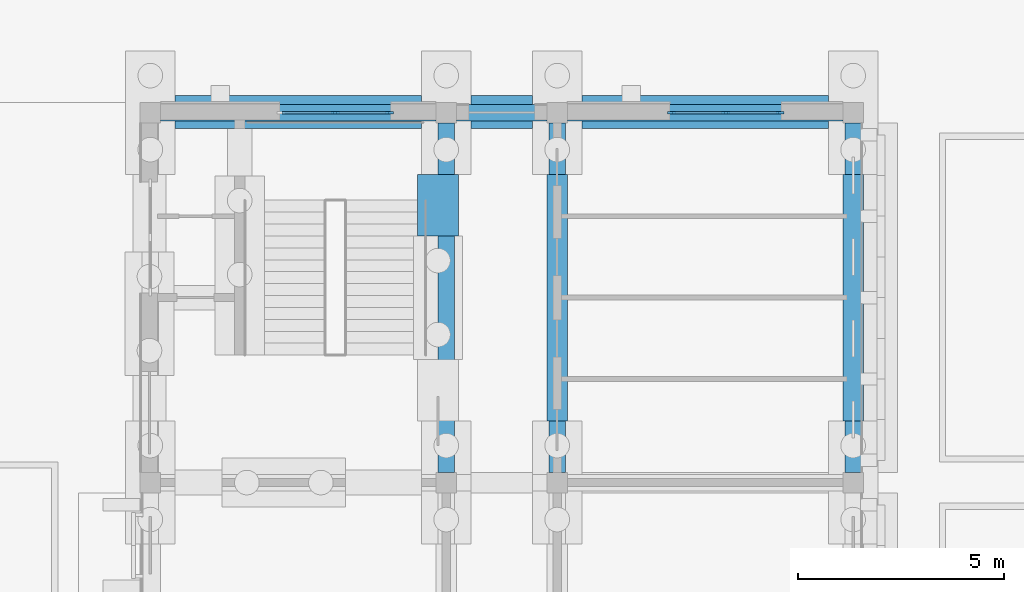
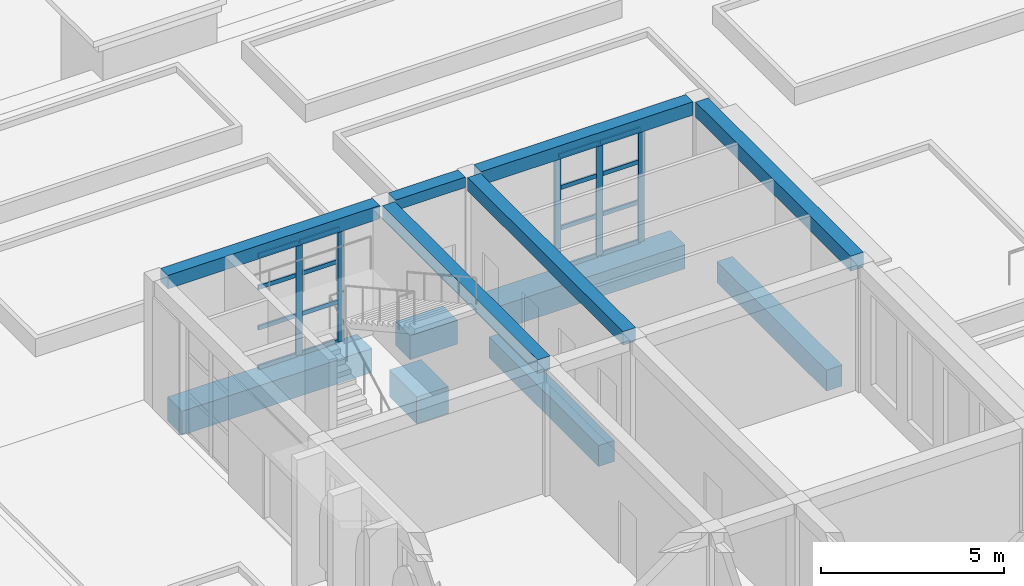
# One storey, part 39 of 161: 21 members, 12 beams, 2 elements without a shape of their own.
"""IFC4 building model written with IfcOpenShell, lengths in metres."""

from ifc_helpers import new_model, si_unit, direction, frame, origin, origin_2d, place, context, subcontext, project, spatial, rectangle, extrude, material, layer, layer_set, material_profile, profile_set, type_object, element, aggregate, save


model = new_model("IFC4")

# Units and contexts
model_context = context("Model", 3, precision=1e-05, world=origin(), true_north=direction((0.0, 1.0)))
body_context = subcontext(model_context, "Body", "Model", "MODEL_VIEW")
ifc_project = project(units=[si_unit("LENGTHUNIT", "METRE"), si_unit("AREAUNIT", "SQUARE_METRE"), si_unit("VOLUMEUNIT", "CUBIC_METRE"), si_unit("PLANEANGLEUNIT", "RADIAN"), si_unit("MASSUNIT", "GRAM", prefix="KILO")], contexts=[model_context])

# Site, building, storey
site_placement = place(None, origin())
site = spatial("IfcSite", under=ifc_project, at=site_placement, CompositionType="ELEMENT")
building_placement = place(site_placement, origin())
building = spatial("IfcBuilding", under=site, at=building_placement, Name="Elbe Cascade School", CompositionType="ELEMENT")
storey_placement = place(building_placement, origin())
storey = spatial("IfcBuildingStorey", under=building, at=storey_placement, Name="L00", CompositionType="ELEMENT", Elevation=0.0)

# Curtain wall, members
ifc_material_1 = material(Name="Aluminium frame with double glazing, bronze anodised", Category="aluminium")
ifc_layer = layer(ifc_material_1, 0.199951171875)
ifc_layer_set = layer_set([ifc_layer], Name="Aluminium frame with double glazing, bronze anodised")
curtain_wall_type = type_object("IfcCurtainWallType", Name="Bars envelope Curtain wall, aluminium, bronze anodised, ground floor tall run", PredefinedType="NOTDEFINED", material=ifc_layer_set)
curtain_wall_1_placement = place(storey_placement, origin())
curtain_wall_1 = element("IfcCurtainWall", 1, at=curtain_wall_1_placement, inside=storey, type_object=curtain_wall_type, Name="Curtain wall CW3 D.L00.n1", PredefinedType="NOTDEFINED")
ifc_material_2 = material(Name="Aluminium mullion, bronze anodised", Category="aluminium")
ifc_material_profile_1 = material_profile(ifc_material_2, rectangle(XDim=0.06005859375, YDim=0.199951171875, at=origin_2d()), Name="Bars envelope Curtain wall mullion 60 x 200, aluminium, ground floor tall run")
ifc_profile_set_1 = profile_set([ifc_material_profile_1], Name="Aluminium mullion, bronze anodised")
member_type_1 = type_object("IfcMemberType", Name="Bars envelope Curtain wall mullion 60 x 200, aluminium, ground floor tall run", PredefinedType="MULLION", material=ifc_profile_set_1)
member_1_placement = place(storey_placement, frame((162.300048828125, 60.0, 0.0), z_axis=(0.0, 0.0, 1.0), x_axis=(0.0, 1.0, 0.0)))
member_1 = element("IfcMember", 2, at=member_1_placement, type_object=member_type_1, Name="CW3 mullion 2", PredefinedType="MULLION", context=body_context, shape_type="SweptSolid", body=[
    extrude(rectangle(XDim=0.06005859375, YDim=0.199951171875, at=origin_2d()), origin(), (0.0, 0.0, 1.0), 3.800048828125),
])
member_2_placement = place(storey_placement, frame((163.6201171875, 60.0, 0.0), z_axis=(0.0, 0.0, 1.0), x_axis=(0.0, 1.0, 0.0)))
member_2 = element("IfcMember", 3, at=member_2_placement, type_object=member_type_1, Name="CW3 mullion 3", PredefinedType="MULLION", context=body_context, shape_type="SweptSolid", body=[
    extrude(rectangle(XDim=0.06005859375, YDim=0.199951171875, at=origin_2d()), origin(), (0.0, 0.0, 1.0), 3.800048828125),
])

curtain_wall_2_placement = place(storey_placement, origin())
curtain_wall_2 = element("IfcCurtainWall", 4, at=curtain_wall_2_placement, inside=storey, type_object=curtain_wall_type, Name="Curtain wall CW3 D.L00.n3", PredefinedType="NOTDEFINED")
member_3_placement = place(storey_placement, frame((170.47998046875, 60.0, 0.0), z_axis=(0.0, 0.0, 1.0), x_axis=(0.0, 1.0, 0.0)))
member_3 = element("IfcMember", 5, at=member_3_placement, type_object=member_type_1, Name="CW3 mullion 1", PredefinedType="MULLION", context=body_context, shape_type="SweptSolid", body=[
    extrude(rectangle(XDim=0.06005859375, YDim=0.199951171875, at=origin_2d()), origin(), (0.0, 0.0, 1.0), 3.800048828125),
])
member_4_placement = place(storey_placement, frame((171.800048828125, 60.0, 0.0), z_axis=(0.0, 0.0, 1.0), x_axis=(0.0, 1.0, 0.0)))
member_4 = element("IfcMember", 6, at=member_4_placement, type_object=member_type_1, Name="CW3 mullion 2", PredefinedType="MULLION", context=body_context, shape_type="SweptSolid", body=[
    extrude(rectangle(XDim=0.06005859375, YDim=0.199951171875, at=origin_2d()), origin(), (0.0, 0.0, 1.0), 3.800048828125),
])
member_5_placement = place(storey_placement, frame((173.1201171875, 60.0, 0.0), z_axis=(0.0, 0.0, 1.0), x_axis=(0.0, 1.0, 0.0)))
member_5 = element("IfcMember", 7, at=member_5_placement, type_object=member_type_1, Name="CW3 mullion 3", PredefinedType="MULLION", context=body_context, shape_type="SweptSolid", body=[
    extrude(rectangle(XDim=0.06005859375, YDim=0.199951171875, at=origin_2d()), origin(), (0.0, 0.0, 1.0), 3.800048828125),
])

# Member
ifc_material_3 = material(Name="Aluminium transom, bronze anodised", Category="aluminium")
ifc_material_profile_2 = material_profile(ifc_material_3, rectangle(XDim=0.06005859375, YDim=0.139892578125, at=origin_2d()), Name="Bars envelope Curtain wall transom 60 x 140, aluminium, ground floor tall run")
ifc_profile_set_2 = profile_set([ifc_material_profile_2], Name="Aluminium transom, bronze anodised")
member_type_2 = type_object("IfcMemberType", Name="Bars envelope Curtain wall transom 60 x 140, aluminium, ground floor tall run", PredefinedType="USERDEFINED", material=ifc_profile_set_2)
member_6_placement = place(storey_placement, frame((161.010009765625, 60.0, 0.030029296875), z_axis=(1.0, 0.0, 0.0), x_axis=(0.0, 1.0, 0.0)))
member_6 = element("IfcMember", 8, at=member_6_placement, type_object=member_type_2, Name="CW3 transom 1.1", ObjectType="TRANSOM", PredefinedType="USERDEFINED", context=body_context, shape_type="SweptSolid", body=[
    extrude(rectangle(XDim=0.06005859375, YDim=0.139892578125, at=origin_2d()), origin(), (0.0, 0.0, 1.0), 1.260009765625),
])

member_7_placement = place(storey_placement, frame((161.010009765625, 60.0, 1.35009765625), z_axis=(1.0, 0.0, 0.0), x_axis=(0.0, 1.0, 0.0)))
member_7 = element("IfcMember", 9, at=member_7_placement, type_object=member_type_2, Name="CW3 transom 1.2", ObjectType="TRANSOM", PredefinedType="USERDEFINED", context=body_context, shape_type="SweptSolid", body=[
    extrude(rectangle(XDim=0.06005859375, YDim=0.139892578125, at=origin_2d()), origin(), (0.0, 0.0, 1.0), 1.260009765625),
])

member_8_placement = place(storey_placement, frame((161.010009765625, 60.0, 2.699951171875), z_axis=(1.0, 0.0, 0.0), x_axis=(0.0, 1.0, 0.0)))
member_8 = element("IfcMember", 10, at=member_8_placement, type_object=member_type_2, Name="CW3 transom 1.3", ObjectType="TRANSOM", PredefinedType="USERDEFINED", context=body_context, shape_type="SweptSolid", body=[
    extrude(rectangle(XDim=0.06005859375, YDim=0.139892578125, at=origin_2d()), origin(), (0.0, 0.0, 1.0), 1.260009765625),
])

member_9_placement = place(storey_placement, frame((161.010009765625, 60.0, 3.77001953125), z_axis=(1.0, 0.0, 0.0), x_axis=(0.0, 1.0, 0.0)))
member_9 = element("IfcMember", 11, at=member_9_placement, type_object=member_type_2, Name="CW3 transom 1.4", ObjectType="TRANSOM", PredefinedType="USERDEFINED", context=body_context, shape_type="SweptSolid", body=[
    extrude(rectangle(XDim=0.06005859375, YDim=0.139892578125, at=origin_2d()), origin(), (0.0, 0.0, 1.0), 1.260009765625),
])

member_10_placement = place(storey_placement, frame((162.330078125, 60.0, 0.030029296875), z_axis=(1.0, 0.0, 0.0), x_axis=(0.0, 1.0, 0.0)))
member_10 = element("IfcMember", 12, at=member_10_placement, type_object=member_type_2, Name="CW3 transom 2.1", ObjectType="TRANSOM", PredefinedType="USERDEFINED", context=body_context, shape_type="SweptSolid", body=[
    extrude(rectangle(XDim=0.06005859375, YDim=0.139892578125, at=origin_2d()), origin(), (0.0, 0.0, 1.0), 1.260009765625),
])

member_11_placement = place(storey_placement, frame((162.330078125, 60.0, 1.35009765625), z_axis=(1.0, 0.0, 0.0), x_axis=(0.0, 1.0, 0.0)))
member_11 = element("IfcMember", 13, at=member_11_placement, type_object=member_type_2, Name="CW3 transom 2.2", ObjectType="TRANSOM", PredefinedType="USERDEFINED", context=body_context, shape_type="SweptSolid", body=[
    extrude(rectangle(XDim=0.06005859375, YDim=0.139892578125, at=origin_2d()), origin(), (0.0, 0.0, 1.0), 1.260009765625),
])

member_12_placement = place(storey_placement, frame((162.330078125, 60.0, 2.699951171875), z_axis=(1.0, 0.0, 0.0), x_axis=(0.0, 1.0, 0.0)))
member_12 = element("IfcMember", 14, at=member_12_placement, type_object=member_type_2, Name="CW3 transom 2.3", ObjectType="TRANSOM", PredefinedType="USERDEFINED", context=body_context, shape_type="SweptSolid", body=[
    extrude(rectangle(XDim=0.06005859375, YDim=0.139892578125, at=origin_2d()), origin(), (0.0, 0.0, 1.0), 1.260009765625),
])

member_13_placement = place(storey_placement, frame((162.330078125, 60.0, 3.77001953125), z_axis=(1.0, 0.0, 0.0), x_axis=(0.0, 1.0, 0.0)))
member_13 = element("IfcMember", 15, at=member_13_placement, type_object=member_type_2, Name="CW3 transom 2.4", ObjectType="TRANSOM", PredefinedType="USERDEFINED", context=body_context, shape_type="SweptSolid", body=[
    extrude(rectangle(XDim=0.06005859375, YDim=0.139892578125, at=origin_2d()), origin(), (0.0, 0.0, 1.0), 1.260009765625),
])

aggregate(curtain_wall_1, [member_1, member_2, member_6, member_7, member_8, member_9, member_10, member_11, member_12, member_13])

member_14_placement = place(storey_placement, frame((170.510009765625, 60.0, 0.030029296875), z_axis=(1.0, 0.0, 0.0), x_axis=(0.0, 1.0, 0.0)))
member_14 = element("IfcMember", 16, at=member_14_placement, type_object=member_type_2, Name="CW3 transom 1.1", ObjectType="TRANSOM", PredefinedType="USERDEFINED", context=body_context, shape_type="SweptSolid", body=[
    extrude(rectangle(XDim=0.06005859375, YDim=0.139892578125, at=origin_2d()), origin(), (0.0, 0.0, 1.0), 1.260009765625),
])

member_15_placement = place(storey_placement, frame((170.510009765625, 60.0, 1.35009765625), z_axis=(1.0, 0.0, 0.0), x_axis=(0.0, 1.0, 0.0)))
member_15 = element("IfcMember", 17, at=member_15_placement, type_object=member_type_2, Name="CW3 transom 1.2", ObjectType="TRANSOM", PredefinedType="USERDEFINED", context=body_context, shape_type="SweptSolid", body=[
    extrude(rectangle(XDim=0.06005859375, YDim=0.139892578125, at=origin_2d()), origin(), (0.0, 0.0, 1.0), 1.260009765625),
])

member_16_placement = place(storey_placement, frame((170.510009765625, 60.0, 2.699951171875), z_axis=(1.0, 0.0, 0.0), x_axis=(0.0, 1.0, 0.0)))
member_16 = element("IfcMember", 18, at=member_16_placement, type_object=member_type_2, Name="CW3 transom 1.3", ObjectType="TRANSOM", PredefinedType="USERDEFINED", context=body_context, shape_type="SweptSolid", body=[
    extrude(rectangle(XDim=0.06005859375, YDim=0.139892578125, at=origin_2d()), origin(), (0.0, 0.0, 1.0), 1.260009765625),
])

member_17_placement = place(storey_placement, frame((170.510009765625, 60.0, 3.77001953125), z_axis=(1.0, 0.0, 0.0), x_axis=(0.0, 1.0, 0.0)))
member_17 = element("IfcMember", 19, at=member_17_placement, type_object=member_type_2, Name="CW3 transom 1.4", ObjectType="TRANSOM", PredefinedType="USERDEFINED", context=body_context, shape_type="SweptSolid", body=[
    extrude(rectangle(XDim=0.06005859375, YDim=0.139892578125, at=origin_2d()), origin(), (0.0, 0.0, 1.0), 1.260009765625),
])

member_18_placement = place(storey_placement, frame((171.830078125, 60.0, 0.030029296875), z_axis=(1.0, 0.0, 0.0), x_axis=(0.0, 1.0, 0.0)))
member_18 = element("IfcMember", 20, at=member_18_placement, type_object=member_type_2, Name="CW3 transom 2.1", ObjectType="TRANSOM", PredefinedType="USERDEFINED", context=body_context, shape_type="SweptSolid", body=[
    extrude(rectangle(XDim=0.06005859375, YDim=0.139892578125, at=origin_2d()), origin(), (0.0, 0.0, 1.0), 1.260009765625),
])

member_19_placement = place(storey_placement, frame((171.830078125, 60.0, 1.35009765625), z_axis=(1.0, 0.0, 0.0), x_axis=(0.0, 1.0, 0.0)))
member_19 = element("IfcMember", 21, at=member_19_placement, type_object=member_type_2, Name="CW3 transom 2.2", ObjectType="TRANSOM", PredefinedType="USERDEFINED", context=body_context, shape_type="SweptSolid", body=[
    extrude(rectangle(XDim=0.06005859375, YDim=0.139892578125, at=origin_2d()), origin(), (0.0, 0.0, 1.0), 1.260009765625),
])

member_20_placement = place(storey_placement, frame((171.830078125, 60.0, 2.699951171875), z_axis=(1.0, 0.0, 0.0), x_axis=(0.0, 1.0, 0.0)))
member_20 = element("IfcMember", 22, at=member_20_placement, type_object=member_type_2, Name="CW3 transom 2.3", ObjectType="TRANSOM", PredefinedType="USERDEFINED", context=body_context, shape_type="SweptSolid", body=[
    extrude(rectangle(XDim=0.06005859375, YDim=0.139892578125, at=origin_2d()), origin(), (0.0, 0.0, 1.0), 1.260009765625),
])

member_21_placement = place(storey_placement, frame((171.830078125, 60.0, 3.77001953125), z_axis=(1.0, 0.0, 0.0), x_axis=(0.0, 1.0, 0.0)))
member_21 = element("IfcMember", 23, at=member_21_placement, type_object=member_type_2, Name="CW3 transom 2.4", ObjectType="TRANSOM", PredefinedType="USERDEFINED", context=body_context, shape_type="SweptSolid", body=[
    extrude(rectangle(XDim=0.06005859375, YDim=0.139892578125, at=origin_2d()), origin(), (0.0, 0.0, 1.0), 1.260009765625),
])

aggregate(curtain_wall_2, [member_3, member_4, member_5, member_14, member_15, member_16, member_17, member_18, member_19, member_20, member_21])

# Beams
ifc_material_4 = material(Name="Concrete C30/37", Category="concrete")
ifc_material_profile_3 = material_profile(ifc_material_4, rectangle(XDim=1.0, YDim=0.89990234375, at=origin_2d()), Name="RC 1000x900")
ifc_profile_set_3 = profile_set([ifc_material_profile_3], Name="Concrete C30/37")
beam_type_1 = type_object("IfcBeamType", Name="Found ground beam RC 1000x900", PredefinedType="BEAM", material=ifc_profile_set_3)
beam_1_placement = place(storey_placement, frame((164.800048828125, 57.0, -0.75), z_axis=(0.0, 1.0, 0.0), x_axis=(-1.0, 0.0, 0.0)))
element("IfcBeam", 24, at=beam_1_placement, inside=storey, type_object=beam_type_1, Name="Ground beam 049", PredefinedType="BEAM", context=body_context, shape_type="SweptSolid", body=[
    extrude(rectangle(XDim=1.0, YDim=0.89990234375, at=origin_2d()), origin(), (0.0, 0.0, 1.0), 1.5),
])
ifc_material_5 = material(Name="Concrete C30/37", Category="concrete")
ifc_material_profile_4 = material_profile(ifc_material_5, rectangle(XDim=0.5, YDim=0.699951171875, at=origin_2d()), Name="RC 500x700")
ifc_profile_set_4 = profile_set([ifc_material_profile_4], Name="Concrete C30/37")
beam_type_2 = type_object("IfcBeamType", Name="Found ground beam RC 500x700", PredefinedType="BEAM", material=ifc_profile_set_4)
for number, where, z_axis, x_axis, name in (
    (25, (167.699951171875, 52.5, -0.64990234375), (0.0, 1.0, 0.0), (-1.0, 0.0, 0.0), "Ground beam 312"),
    (26, (174.89990234375, 52.5, -0.64990234375), (0.0, 1.0, 0.0), (-1.0, 0.0, 0.0), "Ground beam 318"),
):
    element("IfcBeam", number, at=place(storey_placement, frame(where, z_axis=z_axis, x_axis=x_axis)), inside=storey, type_object=beam_type_2, Name=name, PredefinedType="BEAM", context=body_context, shape_type="SweptSolid", body=[
        extrude(rectangle(XDim=0.5, YDim=0.699951171875, at=origin_2d()), origin(), (0.0, 0.0, 1.0), 6.0),
    ])
ifc_material_6 = material(Name="Concrete C30/37", Category="concrete")
ifc_material_profile_5 = material_profile(ifc_material_6, rectangle(XDim=0.800048828125, YDim=0.800048828125, at=origin_2d()), Name="RC 800x800")
ifc_profile_set_5 = profile_set([ifc_material_profile_5], Name="Concrete C30/37")
beam_type_3 = type_object("IfcBeamType", Name="Found ground beam RC 800x800", PredefinedType="BEAM", material=ifc_profile_set_5)
beam_2_placement = place(storey_placement, frame((158.39990234375, 60.02001953125, -0.699951171875), z_axis=(1.0, 0.0, 0.0), x_axis=(0.0, 1.0, 0.0)))
element("IfcBeam", 27, at=beam_2_placement, inside=storey, type_object=beam_type_3, Name="Ground beam 062", PredefinedType="BEAM", context=body_context, shape_type="SweptSolid", body=[
    extrude(rectangle(XDim=0.800048828125, YDim=0.800048828125, at=origin_2d()), origin(), (0.0, 0.0, 1.0), 6.0),
])
beam_3_placement = place(storey_placement, frame((165.60009765625, 60.02001953125, -0.699951171875), z_axis=(1.0, 0.0, 0.0), x_axis=(0.0, 1.0, 0.0)))
element("IfcBeam", 28, at=beam_3_placement, inside=storey, type_object=beam_type_3, Name="Ground beam 063", PredefinedType="BEAM", context=body_context, shape_type="SweptSolid", body=[
    extrude(rectangle(XDim=0.800048828125, YDim=0.800048828125, at=origin_2d()), origin(), (0.0, 0.0, 1.0), 1.5),
])
beam_4_placement = place(storey_placement, frame((168.300048828125, 60.02001953125, -0.699951171875), z_axis=(1.0, 0.0, 0.0), x_axis=(0.0, 1.0, 0.0)))
element("IfcBeam", 29, at=beam_4_placement, inside=storey, type_object=beam_type_3, Name="Ground beam 064", PredefinedType="BEAM", context=body_context, shape_type="SweptSolid", body=[
    extrude(rectangle(XDim=0.800048828125, YDim=0.800048828125, at=origin_2d()), origin(), (0.0, 0.0, 1.0), 6.0),
])
ifc_material_7 = material(Name="Concrete C30/37", Category="concrete")
ifc_material_profile_6 = material_profile(ifc_material_7, rectangle(XDim=0.39990234375, YDim=0.35009765625, at=origin_2d()), Name="RC 400x350")
ifc_profile_set_6 = profile_set([ifc_material_profile_6], Name="Concrete C30/37")
beam_type_4 = type_object("IfcBeamType", Name="RC 400x350 beam", PredefinedType="BEAM", material=ifc_profile_set_6)
beam_5_placement = place(storey_placement, frame((165.25, 60.0, 4.074951171875), z_axis=(1.0, 0.0, 0.0), x_axis=(0.0, 1.0, 0.0)))
element("IfcBeam", 30, at=beam_5_placement, inside=storey, type_object=beam_type_4, Name="RC 400x350 beam B3", PredefinedType="BEAM", context=body_context, shape_type="SweptSolid", body=[
    extrude(rectangle(XDim=0.39990234375, YDim=0.35009765625, at=origin_2d()), origin(), (0.0, 0.0, 1.0), 2.199951171875),
])
ifc_material_8 = material(Name="Concrete C30/37", Category="concrete")
ifc_material_profile_7 = material_profile(ifc_material_8, rectangle(XDim=0.39990234375, YDim=0.449951171875, at=origin_2d()), Name="RC 400x450")
ifc_profile_set_7 = profile_set([ifc_material_profile_7], Name="Concrete C30/37")
beam_type_5 = type_object("IfcBeamType", Name="RC 400x450 beam", PredefinedType="BEAM", material=ifc_profile_set_7)
for number, where, z_axis, x_axis, name in (
    (31, (165.0, 51.25, 4.02490234375), (0.0, 1.0, 0.0), (-1.0, 0.0, 0.0), "RC 400x450 beam B2"),
    (32, (167.699951171875, 51.25, 4.02490234375), (0.0, 1.0, 0.0), (-1.0, 0.0, 0.0), "RC 400x450 beam B2"),
):
    element("IfcBeam", number, at=place(storey_placement, frame(where, z_axis=z_axis, x_axis=x_axis)), inside=storey, type_object=beam_type_5, Name=name, PredefinedType="BEAM", context=body_context, shape_type="SweptSolid", body=[
        extrude(rectangle(XDim=0.39990234375, YDim=0.449951171875, at=origin_2d()), origin(), (0.0, 0.0, 1.0), 8.5),
    ])
for number, where, z_axis, x_axis, name in (
    (33, (158.050048828125, 60.0, 4.02490234375), (1.0, 0.0, 0.0), (0.0, 1.0, 0.0), "RC 400x450 beam B2"),
    (34, (167.949951171875, 60.0, 4.02490234375), (1.0, 0.0, 0.0), (0.0, 1.0, 0.0), "RC 400x450 beam B2"),
):
    element("IfcBeam", number, at=place(storey_placement, frame(where, z_axis=z_axis, x_axis=x_axis)), inside=storey, type_object=beam_type_5, Name=name, PredefinedType="BEAM", context=body_context, shape_type="SweptSolid", body=[
        extrude(rectangle(XDim=0.39990234375, YDim=0.449951171875, at=origin_2d()), origin(), (0.0, 0.0, 1.0), 6.699951171875),
    ])
ifc_material_9 = material(Name="Concrete C30/37", Category="concrete")
ifc_material_profile_8 = material_profile(ifc_material_9, rectangle(XDim=0.39990234375, YDim=0.5, at=origin_2d()), Name="RC 400x500")
ifc_profile_set_8 = profile_set([ifc_material_profile_8], Name="Concrete C30/37")
beam_type_6 = type_object("IfcBeamType", Name="RC 400x500 beam", PredefinedType="BEAM", material=ifc_profile_set_8)
beam_6_placement = place(storey_placement, frame((174.89990234375, 51.25, 4.0), z_axis=(0.0, 1.0, 0.0), x_axis=(-1.0, 0.0, 0.0)))
element("IfcBeam", 35, at=beam_6_placement, inside=storey, type_object=beam_type_6, Name="RC 400x500 beam B1", PredefinedType="BEAM", context=body_context, shape_type="SweptSolid", body=[
    extrude(rectangle(XDim=0.39990234375, YDim=0.5, at=origin_2d()), origin(), (0.0, 0.0, 1.0), 8.5),
])

save(model, "model.ifc")
